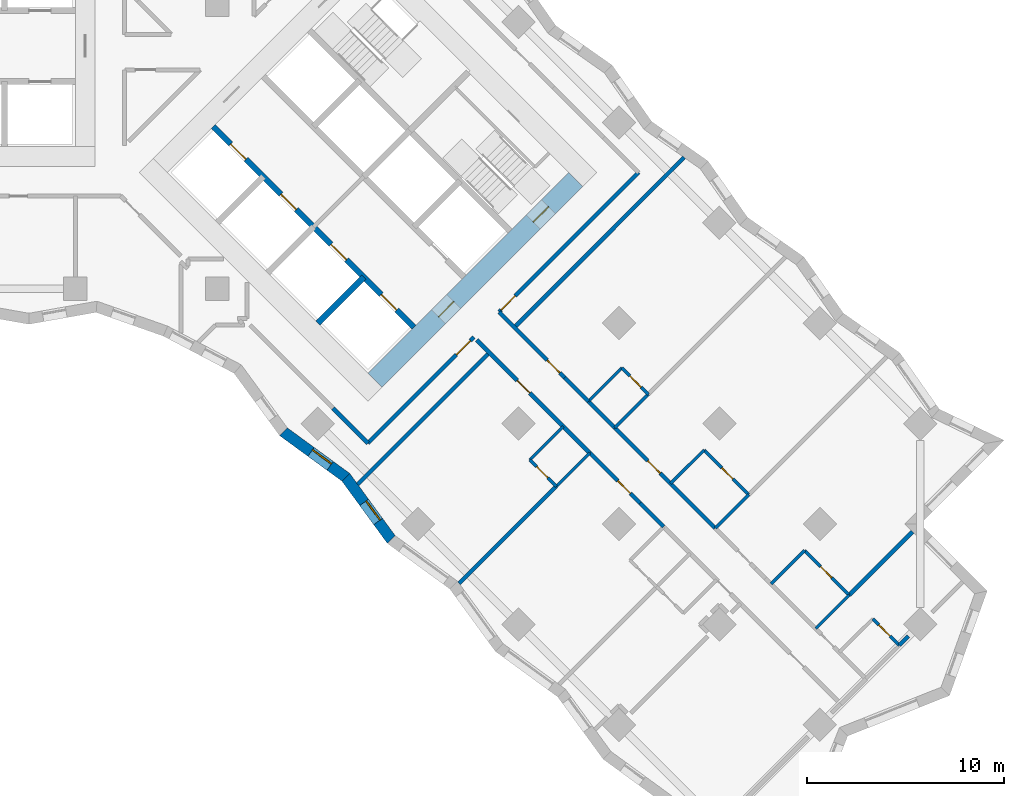
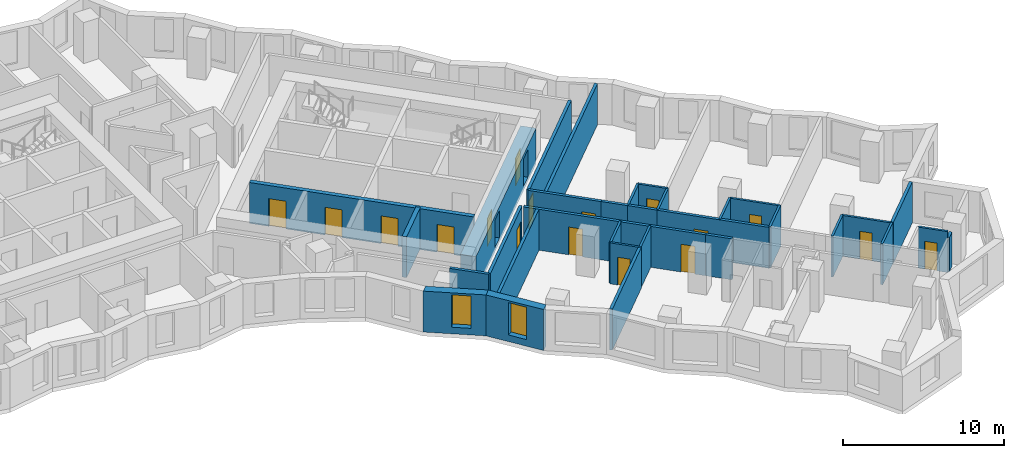
# One storey, part 8 of 12: 33 walls, 17 doors, 2 windows, 19 openings.
"""IFC4 building model written with IfcOpenShell, lengths in metres."""

from ifc_helpers import new_model, si_unit, direction, frame, frame_2d, origin, place, context, subcontext, project, spatial, polyline, rectangle, outline, extrude, material, layer, layer_set, type_object, element, fill, save


model = new_model("IFC4")

# Units and contexts
model_context = context("Model", 3, precision=1e-05, world=origin(), true_north=direction((0.0, 1.0)))
body_context = subcontext(model_context, "Body", "Model", "MODEL_VIEW")
ifc_project = project(units=[si_unit("LENGTHUNIT", "METRE"), si_unit("AREAUNIT", "SQUARE_METRE"), si_unit("VOLUMEUNIT", "CUBIC_METRE"), si_unit("PLANEANGLEUNIT", "RADIAN"), si_unit("MASSUNIT", "GRAM", prefix="KILO")], contexts=[model_context])

# Site, building, storey
site_placement = place(None, origin())
site = spatial("IfcSite", under=ifc_project, at=site_placement, CompositionType="ELEMENT")
building_placement = place(site_placement, origin())
building = spatial("IfcBuilding", under=site, at=building_placement, Name="Windrow Commons", CompositionType="ELEMENT")
storey_placement = place(building_placement, frame((0.0, 0.0, 61.0)))
storey = spatial("IfcBuildingStorey", under=building, at=storey_placement, Name="L16", CompositionType="ELEMENT", Elevation=61.0)

# Wall, opening, window
ifc_material_1 = material(Name="Brick masonry, red clay brick", Category="masonry")
ifc_layer_1 = layer(ifc_material_1, 0.55)
ifc_layer_set_1 = layer_set([ifc_layer_1], Name="Brick facade wall 550")
wall_type_1 = type_object("IfcWallType", Name="Brick facade wall 550", PredefinedType="SOLIDWALL", material=ifc_layer_set_1)
wall_1_placement = place(storey_placement, frame((82.5482, 35.9486, 0.0), z_axis=(0.0, 0.0, 1.0), x_axis=(0.8075900138, -0.5897443257, 0.0)))
wall_1 = element("IfcWall", 1, at=wall_1_placement, inside=storey, type_object=wall_type_1, Name="Brick facade wall L16 56", PredefinedType="SOLIDWALL", context=body_context, shape_type="SweptSolid", body=[
    extrude(outline(polyline([(-0.0429, -0.275), (3.8714, -0.275), (3.9571, 0.275), (0.0429, 0.275), (-0.0429, -0.275)])), origin(), (0.0, 0.0, 1.0), 3.1),
])
opening_1_placement = place(wall_1_placement, frame((1.7329, 0.0, 0.5)))
opening_1 = element("IfcOpeningElement", 2, at=opening_1_placement, cuts=wall_1, Name="Opening W7D", PredefinedType="OPENING", context=body_context, shape_type="SweptSolid", body=[
    extrude(rectangle(XDim=1.2, YDim=2.45, at=frame_2d((0.6, 1.225))), frame((0.0, 0.285, 0.0), z_axis=(0.0, -1.0, 0.0), x_axis=(1.0, 0.0, 0.0)), (0.0, 0.0, 1.0), 0.57),
])
ifc_material_2 = material(Name="Clear float glass in anodised aluminium frame", Category="aluminium")
window_type = type_object("IfcWindowType", Name="Window W7 notch 1200x2450", PartitioningType="SINGLE_PANEL", PredefinedType="WINDOW", material=ifc_material_2)
window_1_placement = place(opening_1_placement, origin())
window_1 = element("IfcWindow", 3, at=window_1_placement, inside=storey, type_object=window_type, Name="Window L16 56.1", OverallHeight=2.45, OverallWidth=1.2, PartitioningType="SINGLE_PANEL", PredefinedType="WINDOW", context=body_context, shape_type="SweptSolid", body=[
    extrude(rectangle(XDim=1.2, YDim=2.45, at=frame_2d((0.6, 1.225))), frame((0.0, 0.155, 0.0), z_axis=(0.0, -1.0, 0.0), x_axis=(1.0, 0.0, 0.0)), (0.0, 0.0, 1.0), 0.06),
])
fill(opening_1, window_1)

wall_2_placement = place(storey_placement, frame((85.7093, 33.6402, 0.0), z_axis=(0.0, 0.0, 1.0), x_axis=(0.5897321582, -0.807598899, 0.0)))
wall_2 = element("IfcWall", 4, at=wall_2_placement, inside=storey, type_object=wall_type_1, Name="Brick facade wall L16 57", PredefinedType="SOLIDWALL", context=body_context, shape_type="SweptSolid", body=[
    extrude(outline(polyline([(0.0429, -0.275), (3.9571, -0.275), (3.8714, 0.275), (-0.0429, 0.275), (0.0429, -0.275)])), origin(), (0.0, 0.0, 1.0), 3.1),
])
opening_2_placement = place(wall_2_placement, frame((1.5761, 0.0, 0.5)))
opening_2 = element("IfcOpeningElement", 5, at=opening_2_placement, cuts=wall_2, Name="Opening W7D", PredefinedType="OPENING", context=body_context, shape_type="SweptSolid", body=[
    extrude(rectangle(XDim=1.2, YDim=2.45, at=frame_2d((0.6, 1.225))), frame((0.0, 0.285, 0.0), z_axis=(0.0, -1.0, 0.0), x_axis=(1.0, 0.0, 0.0)), (0.0, 0.0, 1.0), 0.57),
])
window_2_placement = place(opening_2_placement, origin())
window_2 = element("IfcWindow", 6, at=window_2_placement, inside=storey, type_object=window_type, Name="Window L16 57.1", OverallHeight=2.45, OverallWidth=1.2, PartitioningType="SINGLE_PANEL", PredefinedType="WINDOW", context=body_context, shape_type="SweptSolid", body=[
    extrude(rectangle(XDim=1.2, YDim=2.45, at=frame_2d((0.6, 1.225))), frame((0.0, 0.155, 0.0), z_axis=(0.0, -1.0, 0.0), x_axis=(1.0, 0.0, 0.0)), (0.0, 0.0, 1.0), 0.06),
])
fill(opening_2, window_2)

# Wall, opening, door
ifc_material_3 = material(Name="Blockwork partition", Category="masonry")
ifc_layer_2 = layer(ifc_material_3, 0.2)
ifc_layer_set_2 = layer_set([ifc_layer_2], Name="IW-CORRIDOR-200")
wall_type_2 = type_object("IfcWallType", Name="IW-CORRIDOR-200", PredefinedType="PARTITIONING", material=ifc_layer_set_2)
wall_3_placement = place(storey_placement, frame((93.4836, 42.0204, 0.0), z_axis=(0.0, 0.0, 1.0), x_axis=(0.7071067812, 0.7071067812, 0.0)))
wall_3 = element("IfcWall", 7, at=wall_3_placement, inside=storey, type_object=wall_type_2, Name="W-L16-W010", PredefinedType="PARTITIONING", context=body_context, shape_type="SweptSolid", body=[
    extrude(rectangle(XDim=9.9985, YDim=0.2, at=frame_2d((4.9992, 0.0))), origin(), (0.0, 0.0, 1.0), 3.1),
])
opening_3_placement = place(wall_3_placement, frame((0.1485, 0.0, 0.0)))
opening_3 = element("IfcOpeningElement", 8, at=opening_3_placement, cuts=wall_3, Name="Opening D310F", PredefinedType="OPENING", context=body_context, shape_type="SweptSolid", body=[
    extrude(rectangle(XDim=1.0, YDim=2.1, at=frame_2d((0.5, 1.05))), frame((0.0, 0.11, 0.0), z_axis=(0.0, -1.0, 0.0), x_axis=(1.0, 0.0, 0.0)), (0.0, 0.0, 1.0), 0.22),
])
ifc_material_4 = material(Name="Timber door leaf", Category="wood")
door_type_1 = type_object("IfcDoorType", Name="DT-AMENITY-1000", OperationType="SINGLE_SWING_LEFT", PredefinedType="DOOR", material=ifc_material_4)
door_1_placement = place(opening_3_placement, origin())
door_1 = element("IfcDoor", 9, at=door_1_placement, inside=storey, type_object=door_type_1, Name="D-L16-D039", OperationType="SINGLE_SWING_LEFT", OverallHeight=2.1, OverallWidth=1.0, PredefinedType="DOOR", context=body_context, shape_type="SweptSolid", body=[
    extrude(rectangle(XDim=1.0, YDim=2.1, at=frame_2d((0.5, 1.05))), frame((0.0, 0.025, 0.0), z_axis=(0.0, -1.0, 0.0), x_axis=(1.0, 0.0, 0.0)), (0.0, 0.0, 1.0), 0.05),
])
fill(opening_3, door_1)

wall_4_placement = place(storey_placement, frame((92.3491, 40.6011, 0.0), z_axis=(0.0, 0.0, 1.0), x_axis=(0.7071067812, -0.7071067812, 0.0)))
wall_4 = element("IfcWall", 10, at=wall_4_placement, inside=storey, type_object=wall_type_2, Name="W-L16-W018", PredefinedType="PARTITIONING", context=body_context, shape_type="SweptSolid", body=[
    extrude(rectangle(XDim=8.1006, YDim=0.2, at=frame_2d((4.0503, 0.0))), origin(), (0.0, 0.0, 1.0), 3.1),
])
opening_4_placement = place(wall_4_placement, frame((2.9093, 0.0, 0.0)))
opening_4 = element("IfcOpeningElement", 11, at=opening_4_placement, cuts=wall_4, Name="Opening D109F", PredefinedType="OPENING", context=body_context, shape_type="SweptSolid", body=[
    extrude(rectangle(XDim=0.9, YDim=2.1, at=frame_2d((0.45, 1.05))), frame((0.0, 0.11, 0.0), z_axis=(0.0, -1.0, 0.0), x_axis=(1.0, 0.0, 0.0)), (0.0, 0.0, 1.0), 0.22),
])
ifc_material_5 = material(Name="Timber door leaf", Category="wood")
door_type_2 = type_object("IfcDoorType", Name="DT-BEDROOM-900", OperationType="SINGLE_SWING_LEFT", PredefinedType="DOOR", material=ifc_material_5)
door_2_placement = place(opening_4_placement, origin())
door_2 = element("IfcDoor", 12, at=door_2_placement, inside=storey, type_object=door_type_2, Name="D-L16-D047", OperationType="SINGLE_SWING_LEFT", OverallHeight=2.1, OverallWidth=0.9, PredefinedType="DOOR", context=body_context, shape_type="SweptSolid", body=[
    extrude(rectangle(XDim=0.9, YDim=2.1, at=frame_2d((0.45, 1.05))), frame((0.0, 0.025, 0.0), z_axis=(0.0, -1.0, 0.0), x_axis=(1.0, 0.0, 0.0)), (0.0, 0.0, 1.0), 0.05),
])
fill(opening_4, door_2)

wall_5_placement = place(storey_placement, frame((86.8356, 35.3724, 0.0), z_axis=(0.0, 0.0, 1.0), x_axis=(0.7071067812, 0.7071067812, 0.0)))
wall_5 = element("IfcWall", 13, at=wall_5_placement, inside=storey, type_object=wall_type_2, Name="W-L16-W019", PredefinedType="PARTITIONING", context=body_context, shape_type="SweptSolid", body=[
    extrude(rectangle(XDim=7.6, YDim=0.2, at=frame_2d((3.8, 0.0))), origin(), (0.0, 0.0, 1.0), 3.1),
])
opening_5_placement = place(wall_5_placement, frame((6.3422, 0.0, 0.0)))
opening_5 = element("IfcOpeningElement", 14, at=opening_5_placement, cuts=wall_5, Name="Opening D310F", PredefinedType="OPENING", context=body_context, shape_type="SweptSolid", body=[
    extrude(rectangle(XDim=1.0, YDim=2.1, at=frame_2d((0.5, 1.05))), frame((0.0, 0.11, 0.0), z_axis=(0.0, -1.0, 0.0), x_axis=(1.0, 0.0, 0.0)), (0.0, 0.0, 1.0), 0.22),
])
door_3_placement = place(opening_5_placement, origin())
door_3 = element("IfcDoor", 15, at=door_3_placement, inside=storey, type_object=door_type_1, Name="D-L16-D046", OperationType="SINGLE_SWING_RIGHT", OverallHeight=2.1, OverallWidth=1.0, PredefinedType="DOOR", context=body_context, shape_type="SweptSolid", body=[
    extrude(rectangle(XDim=1.0, YDim=2.1, at=frame_2d((0.5, 1.05))), frame((0.0, 0.025, 0.0), z_axis=(0.0, -1.0, 0.0), x_axis=(1.0, 0.0, 0.0)), (0.0, 0.0, 1.0), 0.05),
])
fill(opening_5, door_3)

wall_6_placement = place(storey_placement, frame((99.3489, 36.1469, 0.0), z_axis=(0.0, 0.0, 1.0), x_axis=(0.7071067812, -0.7071067812, 0.0)))
wall_6 = element("IfcWall", 16, at=wall_6_placement, inside=storey, type_object=wall_type_2, Name="W-L16-W020", PredefinedType="PARTITIONING", context=body_context, shape_type="SweptSolid", body=[
    extrude(rectangle(XDim=7.2012, YDim=0.2, at=frame_2d((3.6006, 0.0))), origin(), (0.0, 0.0, 1.0), 3.1),
])
opening_6_placement = place(wall_6_placement, frame((2.3576, 0.0, 0.0)))
opening_6 = element("IfcOpeningElement", 17, at=opening_6_placement, cuts=wall_6, Name="Opening D109F", PredefinedType="OPENING", context=body_context, shape_type="SweptSolid", body=[
    extrude(rectangle(XDim=0.9, YDim=2.1, at=frame_2d((0.45, 1.05))), frame((0.0, 0.11, 0.0), z_axis=(0.0, -1.0, 0.0), x_axis=(1.0, 0.0, 0.0)), (0.0, 0.0, 1.0), 0.22),
])
door_4_placement = place(opening_6_placement, origin())
door_4 = element("IfcDoor", 18, at=door_4_placement, inside=storey, type_object=door_type_2, Name="D-L16-D042", OperationType="SINGLE_SWING_RIGHT", OverallHeight=2.1, OverallWidth=0.9, PredefinedType="DOOR", context=body_context, shape_type="SweptSolid", body=[
    extrude(rectangle(XDim=0.9, YDim=2.1, at=frame_2d((0.45, 1.05))), frame((0.0, 0.025, 0.0), z_axis=(0.0, -1.0, 0.0), x_axis=(1.0, 0.0, 0.0)), (0.0, 0.0, 1.0), 0.05),
])
fill(opening_6, door_4)

wall_7_placement = place(storey_placement, frame((93.4809, 42.0149, 0.0), z_axis=(0.0, 0.0, 1.0), x_axis=(0.7071067812, -0.7071067812, 0.0)))
wall_7 = element("IfcWall", 19, at=wall_7_placement, inside=storey, type_object=wall_type_2, Name="W-L16-W040", PredefinedType="PARTITIONING", context=body_context, shape_type="SweptSolid", body=[
    extrude(rectangle(XDim=4.698, YDim=0.2, at=frame_2d((2.349, 0.0))), origin(), (0.0, 0.0, 1.0), 3.1),
])
opening_7_placement = place(wall_7_placement, frame((3.4523, 0.0, 0.0)))
opening_7 = element("IfcOpeningElement", 20, at=opening_7_placement, cuts=wall_7, Name="Opening D109F", PredefinedType="OPENING", context=body_context, shape_type="SweptSolid", body=[
    extrude(rectangle(XDim=0.9, YDim=2.1, at=frame_2d((0.45, 1.05))), frame((0.0, 0.11, 0.0), z_axis=(0.0, -1.0, 0.0), x_axis=(1.0, 0.0, 0.0)), (0.0, 0.0, 1.0), 0.22),
])
door_5_placement = place(opening_7_placement, origin())
door_5 = element("IfcDoor", 21, at=door_5_placement, inside=storey, type_object=door_type_2, Name="D-L16-D040", OperationType="SINGLE_SWING_RIGHT", OverallHeight=2.1, OverallWidth=0.9, PredefinedType="DOOR", context=body_context, shape_type="SweptSolid", body=[
    extrude(rectangle(XDim=0.9, YDim=2.1, at=frame_2d((0.45, 1.05))), frame((0.0, 0.025, 0.0), z_axis=(0.0, -1.0, 0.0), x_axis=(1.0, 0.0, 0.0)), (0.0, 0.0, 1.0), 0.05),
])
fill(opening_7, door_5)

wall_8_placement = place(storey_placement, frame((98.0825, 34.8785, 0.0), z_axis=(0.0, 0.0, 1.0), x_axis=(0.7073845681, -0.7068288851, 0.0)))
wall_8 = element("IfcWall", 22, at=wall_8_placement, inside=storey, type_object=wall_type_2, Name="W-L16-W055", PredefinedType="PARTITIONING", context=body_context, shape_type="SweptSolid", body=[
    extrude(rectangle(XDim=3.5992, YDim=0.2, at=frame_2d((1.7996, 0.0))), origin(), (0.0, 0.0, 1.0), 3.1),
])
opening_8_placement = place(wall_8_placement, frame((2.0087, 0.0, 0.0)))
opening_8 = element("IfcOpeningElement", 23, at=opening_8_placement, cuts=wall_8, Name="Opening D109F", PredefinedType="OPENING", context=body_context, shape_type="SweptSolid", body=[
    extrude(rectangle(XDim=0.9, YDim=2.1, at=frame_2d((0.45, 1.05))), frame((0.0, 0.11, 0.0), z_axis=(0.0, -1.0, 0.0), x_axis=(1.0, 0.0, 0.0)), (0.0, 0.0, 1.0), 0.22),
])
door_6_placement = place(opening_8_placement, origin())
door_6 = element("IfcDoor", 24, at=door_6_placement, inside=storey, type_object=door_type_2, Name="D-L16-D049", OperationType="SINGLE_SWING_LEFT", OverallHeight=2.1, OverallWidth=0.9, PredefinedType="DOOR", context=body_context, shape_type="SweptSolid", body=[
    extrude(rectangle(XDim=0.9, YDim=2.1, at=frame_2d((0.45, 1.05))), frame((0.0, 0.025, 0.0), z_axis=(0.0, -1.0, 0.0), x_axis=(1.0, 0.0, 0.0)), (0.0, 0.0, 1.0), 0.05),
])
fill(opening_8, door_6)

# Walls
wall_9_placement = place(storey_placement, frame((85.0651, 37.1371, 0.0), z_axis=(0.0, 0.0, 1.0), x_axis=(0.7071067812, -0.7071067812, 0.0)))
element("IfcWall", 25, at=wall_9_placement, inside=storey, type_object=wall_type_2, Name="W-L16-W069", PredefinedType="PARTITIONING", context=body_context, shape_type="SweptSolid", body=[
    extrude(rectangle(XDim=2.5003, YDim=0.2, at=frame_2d((1.2502, 0.0))), origin(), (0.0, 0.0, 1.0), 3.1),
])
wall_10_placement = place(storey_placement, frame((98.0117, 37.4957, 0.0), z_axis=(0.0, 0.0, 1.0), x_axis=(0.7065800724, -0.7076330979, 0.0)))
element("IfcWall", 26, at=wall_10_placement, inside=storey, type_object=wall_type_2, Name="W-L16-W125", PredefinedType="PARTITIONING", context=body_context, shape_type="SweptSolid", body=[
    extrude(rectangle(XDim=1.8993, YDim=0.2, at=frame_2d((0.9496, 0.0))), origin(), (0.0, 0.0, 1.0), 3.1),
])
wall_11_placement = place(storey_placement, frame((96.8059, 38.6959, 0.0), z_axis=(0.0, 0.0, 1.0), x_axis=(0.7076943229, -0.7065187509, 0.0)))
element("IfcWall", 27, at=wall_11_placement, inside=storey, type_object=wall_type_2, Name="W-L16-W135", PredefinedType="PARTITIONING", context=body_context, shape_type="SweptSolid", body=[
    extrude(rectangle(XDim=1.7013, YDim=0.2, at=frame_2d((0.8507, 0.0))), origin(), (0.0, 0.0, 1.0), 3.1),
])
wall_12_placement = place(storey_placement, frame((100.6292, 32.3352, 0.0), z_axis=(0.0, 0.0, 1.0), x_axis=(0.7071067812, -0.7071067812, 0.0)))
element("IfcWall", 28, at=wall_12_placement, inside=storey, type_object=wall_type_2, Name="W-L16-W140", PredefinedType="PARTITIONING", context=body_context, shape_type="SweptSolid", body=[
    extrude(rectangle(XDim=1.6999, YDim=0.2, at=frame_2d((0.8499, 0.0))), origin(), (0.0, 0.0, 1.0), 3.1),
])

# Wall, opening, door
ifc_material_6 = material(Name="Blockwork partition", Category="masonry")
ifc_layer_3 = layer(ifc_material_6, 0.15)
ifc_layer_set_3 = layer_set([ifc_layer_3], Name="IW-ENSUITE-150")
wall_type_3 = type_object("IfcWallType", Name="IW-ENSUITE-150", PredefinedType="PARTITIONING", material=ifc_layer_set_3)
wall_13_placement = place(storey_placement, frame((108.9697, 29.9277, 0.0), z_axis=(0.0, 0.0, 1.0), x_axis=(0.7067942478, -0.7074191764, 0.0)))
wall_13 = element("IfcWall", 29, at=wall_13_placement, inside=storey, type_object=wall_type_3, Name="W-L16-W058", PredefinedType="PARTITIONING", context=body_context, shape_type="SweptSolid", body=[
    extrude(rectangle(XDim=3.2004, YDim=0.15, at=frame_2d((1.6002, 0.0))), origin(), (0.0, 0.0, 1.0), 3.1),
])
opening_9_placement = place(wall_13_placement, frame((1.148, 0.0, 0.0)))
opening_9 = element("IfcOpeningElement", 30, at=opening_9_placement, cuts=wall_13, Name="Opening D208N", PredefinedType="OPENING", context=body_context, shape_type="SweptSolid", body=[
    extrude(rectangle(XDim=0.8, YDim=2.1, at=frame_2d((0.4, 1.05))), frame((0.0, 0.085, 0.0), z_axis=(0.0, -1.0, 0.0), x_axis=(1.0, 0.0, 0.0)), (0.0, 0.0, 1.0), 0.17),
])
ifc_material_7 = material(Name="Timber door leaf", Category="wood")
door_type_3 = type_object("IfcDoorType", Name="DT-ENSUITE-800", OperationType="SINGLE_SWING_LEFT", PredefinedType="DOOR", material=ifc_material_7)
door_7_placement = place(opening_9_placement, origin())
door_7 = element("IfcDoor", 31, at=door_7_placement, inside=storey, type_object=door_type_3, Name="D-L16-D045", OperationType="SINGLE_SWING_RIGHT", OverallHeight=2.1, OverallWidth=0.8, PredefinedType="DOOR", context=body_context, shape_type="SweptSolid", body=[
    extrude(rectangle(XDim=0.8, YDim=2.1, at=frame_2d((0.4, 1.05))), frame((0.0, 0.025, 0.0), z_axis=(0.0, -1.0, 0.0), x_axis=(1.0, 0.0, 0.0)), (0.0, 0.0, 1.0), 0.05),
])
fill(opening_9, door_7)

wall_14_placement = place(storey_placement, frame((103.875, 35.015, 0.0), z_axis=(0.0, 0.0, 1.0), x_axis=(0.7071067812, -0.7071067812, 0.0)))
wall_14 = element("IfcWall", 32, at=wall_14_placement, inside=storey, type_object=wall_type_3, Name="W-L16-W063", PredefinedType="PARTITIONING", context=body_context, shape_type="SweptSolid", body=[
    extrude(rectangle(XDim=3.199, YDim=0.15, at=frame_2d((1.5995, 0.0))), origin(), (0.0, 0.0, 1.0), 3.1),
])
opening_10_placement = place(wall_14_placement, frame((1.2701, 0.0, 0.0)))
opening_10 = element("IfcOpeningElement", 33, at=opening_10_placement, cuts=wall_14, Name="Opening D208N", PredefinedType="OPENING", context=body_context, shape_type="SweptSolid", body=[
    extrude(rectangle(XDim=0.8, YDim=2.1, at=frame_2d((0.4, 1.05))), frame((0.0, 0.085, 0.0), z_axis=(0.0, -1.0, 0.0), x_axis=(1.0, 0.0, 0.0)), (0.0, 0.0, 1.0), 0.17),
])
door_8_placement = place(opening_10_placement, origin())
door_8 = element("IfcDoor", 34, at=door_8_placement, inside=storey, type_object=door_type_3, Name="D-L16-D043", OperationType="SINGLE_SWING_RIGHT", OverallHeight=2.1, OverallWidth=0.8, PredefinedType="DOOR", context=body_context, shape_type="SweptSolid", body=[
    extrude(rectangle(XDim=0.8, YDim=2.1, at=frame_2d((0.4, 1.05))), frame((0.0, 0.025, 0.0), z_axis=(0.0, -1.0, 0.0), x_axis=(1.0, 0.0, 0.0)), (0.0, 0.0, 1.0), 0.05),
])
fill(opening_10, door_8)

# Walls
wall_15_placement = place(storey_placement, frame((107.2712, 28.2308, 0.0), z_axis=(0.0, 0.0, 1.0), x_axis=(0.7071067812, 0.7071067812, 0.0)))
element("IfcWall", 35, at=wall_15_placement, inside=storey, type_object=wall_type_3, Name="W-L16-W072", PredefinedType="PARTITIONING", context=body_context, shape_type="SweptSolid", body=[
    extrude(rectangle(XDim=2.4013, YDim=0.15, at=frame_2d((1.2006, 0.0))), origin(), (0.0, 0.0, 1.0), 3.1),
])
for number, where, z_axis, x_axis, name in (
    (36, (96.3844, 33.1776, 0.0), (0.0, 0.0, 1.0), (0.7075233388, 0.706689978, 0.0), "W-L16-W098"),
    (37, (99.3491, 36.1529, 0.0), (0.0, 0.0, 1.0), (0.7075233388, 0.706689978, 0.0), "W-L16-W099"),
    (38, (104.4453, 31.0567, 0.0), (0.0, 0.0, 1.0), (0.706689978, 0.7075233388, 0.0), "W-L16-W100"),
    (39, (102.1775, 33.3245, 0.0), (0.0, 0.0, 1.0), (0.7075233388, 0.706689978, 0.0), "W-L16-W103"),
    (40, (109.5314, 25.9706, 0.0), (0.0, 0.0, 1.0), (0.7075233388, 0.706689978, 0.0), "W-L16-W104"),
):
    element("IfcWall", number, at=place(storey_placement, frame(where, z_axis=z_axis, x_axis=x_axis)), inside=storey, type_object=wall_type_3, Name=name, PredefinedType="PARTITIONING", context=body_context, shape_type="SweptSolid", body=[
        extrude(rectangle(XDim=2.3999, YDim=0.15, at=frame_2d((1.2, 0.0))), origin(), (0.0, 0.0, 1.0), 3.1),
    ])
for number, where, z_axis, x_axis, name in (
    (41, (95.0391, 34.5249, 0.0), (0.0, 0.0, 1.0), (0.7071067812, 0.7071067812, 0.0), "W-L16-W106"),
    (42, (98.0091, 37.4949, 0.0), (0.0, 0.0, 1.0), (0.7071067812, 0.7071067812, 0.0), "W-L16-W108"),
):
    element("IfcWall", number, at=place(storey_placement, frame(where, z_axis=z_axis, x_axis=x_axis)), inside=storey, type_object=wall_type_3, Name=name, PredefinedType="PARTITIONING", context=body_context, shape_type="SweptSolid", body=[
        extrude(rectangle(XDim=2.3985, YDim=0.15, at=frame_2d((1.1992, 0.0))), origin(), (0.0, 0.0, 1.0), 3.1),
    ])

# Wall, opening, door
wall_16_placement = place(storey_placement, frame((99.703, 39.187, 0.0), z_axis=(0.0, 0.0, 1.0), x_axis=(0.7071067812, -0.7071067812, 0.0)))
wall_16 = element("IfcWall", 43, at=wall_16_placement, inside=storey, type_object=wall_type_3, Name="W-L16-W115", PredefinedType="PARTITIONING", context=body_context, shape_type="SweptSolid", body=[
    extrude(rectangle(XDim=1.9007, YDim=0.15, at=frame_2d((0.9504, 0.0))), origin(), (0.0, 0.0, 1.0), 3.1),
])
opening_11_placement = place(wall_16_placement, frame((0.5838, 0.0, 0.0)))
opening_11 = element("IfcOpeningElement", 44, at=opening_11_placement, cuts=wall_16, Name="Opening D208N", PredefinedType="OPENING", context=body_context, shape_type="SweptSolid", body=[
    extrude(rectangle(XDim=0.8, YDim=2.1, at=frame_2d((0.4, 1.05))), frame((0.0, 0.085, 0.0), z_axis=(0.0, -1.0, 0.0), x_axis=(1.0, 0.0, 0.0)), (0.0, 0.0, 1.0), 0.17),
])
door_9_placement = place(opening_11_placement, origin())
door_9 = element("IfcDoor", 45, at=door_9_placement, inside=storey, type_object=door_type_3, Name="D-L16-D041", OperationType="SINGLE_SWING_RIGHT", OverallHeight=2.1, OverallWidth=0.8, PredefinedType="DOOR", context=body_context, shape_type="SweptSolid", body=[
    extrude(rectangle(XDim=0.8, YDim=2.1, at=frame_2d((0.4, 1.05))), frame((0.0, 0.025, 0.0), z_axis=(0.0, -1.0, 0.0), x_axis=(1.0, 0.0, 0.0)), (0.0, 0.0, 1.0), 0.05),
])
fill(opening_11, door_9)

wall_17_placement = place(storey_placement, frame((112.431, 26.459, 0.0), z_axis=(0.0, 0.0, 1.0), x_axis=(0.7071067812, -0.7071067812, 0.0)))
wall_17 = element("IfcWall", 46, at=wall_17_placement, inside=storey, type_object=wall_type_3, Name="W-L16-W116", PredefinedType="PARTITIONING", context=body_context, shape_type="SweptSolid", body=[
    extrude(rectangle(XDim=1.9007, YDim=0.15, at=frame_2d((0.9504, 0.0))), origin(), (0.0, 0.0, 1.0), 3.1),
])
opening_12_placement = place(wall_17_placement, frame((0.431, 0.0, 0.0)))
opening_12 = element("IfcOpeningElement", 47, at=opening_12_placement, cuts=wall_17, Name="Opening D208N", PredefinedType="OPENING", context=body_context, shape_type="SweptSolid", body=[
    extrude(rectangle(XDim=0.8, YDim=2.1, at=frame_2d((0.4, 1.05))), frame((0.0, 0.085, 0.0), z_axis=(0.0, -1.0, 0.0), x_axis=(1.0, 0.0, 0.0)), (0.0, 0.0, 1.0), 0.17),
])
door_10_placement = place(opening_12_placement, origin())
door_10 = element("IfcDoor", 48, at=door_10_placement, inside=storey, type_object=door_type_3, Name="D-L16-D055", OperationType="SINGLE_SWING_RIGHT", OverallHeight=2.1, OverallWidth=0.8, PredefinedType="DOOR", context=body_context, shape_type="SweptSolid", body=[
    extrude(rectangle(XDim=0.8, YDim=2.1, at=frame_2d((0.4, 1.05))), frame((0.0, 0.025, 0.0), z_axis=(0.0, -1.0, 0.0), x_axis=(1.0, 0.0, 0.0)), (0.0, 0.0, 1.0), 0.05),
])
fill(opening_12, door_10)

wall_18_placement = place(storey_placement, frame((95.0418, 34.5258, 0.0), z_axis=(0.0, 0.0, 1.0), x_axis=(0.7065800724, -0.7076330979, 0.0)))
wall_18 = element("IfcWall", 49, at=wall_18_placement, inside=storey, type_object=wall_type_3, Name="W-L16-W126", PredefinedType="PARTITIONING", context=body_context, shape_type="SweptSolid", body=[
    extrude(rectangle(XDim=1.8993, YDim=0.15, at=frame_2d((0.9496, 0.0))), origin(), (0.0, 0.0, 1.0), 3.1),
])
opening_13_placement = place(wall_18_placement, frame((0.4911, 0.0, 0.0)))
opening_13 = element("IfcOpeningElement", 50, at=opening_13_placement, cuts=wall_18, Name="Opening D208N", PredefinedType="OPENING", context=body_context, shape_type="SweptSolid", body=[
    extrude(rectangle(XDim=0.8, YDim=2.1, at=frame_2d((0.4, 1.05))), frame((0.0, 0.085, 0.0), z_axis=(0.0, -1.0, 0.0), x_axis=(1.0, 0.0, 0.0)), (0.0, 0.0, 1.0), 0.17),
])
door_11_placement = place(opening_13_placement, origin())
door_11 = element("IfcDoor", 51, at=door_11_placement, inside=storey, type_object=door_type_3, Name="D-L16-D048", OperationType="SINGLE_SWING_RIGHT", OverallHeight=2.1, OverallWidth=0.8, PredefinedType="DOOR", context=body_context, shape_type="SweptSolid", body=[
    extrude(rectangle(XDim=0.8, YDim=2.1, at=frame_2d((0.4, 1.05))), frame((0.0, 0.025, 0.0), z_axis=(0.0, -1.0, 0.0), x_axis=(1.0, 0.0, 0.0)), (0.0, 0.0, 1.0), 0.05),
])
fill(opening_13, door_11)

# Walls
ifc_material_8 = material(Name="Blockwork partition", Category="masonry")
ifc_layer_4 = layer(ifc_material_8, 0.2)
ifc_layer_set_4 = layer_set([ifc_layer_4], Name="IW-PARTY-200")
wall_type_4 = type_object("IfcWallType", Name="IW-PARTY-200", PredefinedType="PARTITIONING", material=ifc_layer_set_4)
wall_19_placement = place(storey_placement, frame((94.2593, 41.2427, 0.0), z_axis=(0.0, 0.0, 1.0), x_axis=(0.7070205168, 0.707193035, 0.0)))
element("IfcWall", 52, at=wall_19_placement, inside=storey, type_object=wall_type_4, Name="W-L16-W006", PredefinedType="PARTITIONING", context=body_context, shape_type="SweptSolid", body=[
    extrude(rectangle(XDim=12.1726, YDim=0.2, at=frame_2d((6.0863, 0.0))), origin(), (0.0, 0.0, 1.0), 3.1),
])
wall_20_placement = place(storey_placement, frame((86.3112, 33.2823, 0.0), z_axis=(0.0, 0.0, 1.0), x_axis=(0.7069956462, 0.7072178987, 0.0)))
element("IfcWall", 53, at=wall_20_placement, inside=storey, type_object=wall_type_4, Name="W-L16-W015", PredefinedType="PARTITIONING", context=body_context, shape_type="SweptSolid", body=[
    extrude(rectangle(XDim=9.4487, YDim=0.2, at=frame_2d((4.7244, 0.0))), origin(), (0.0, 0.0, 1.0), 3.1),
])
wall_21_placement = place(storey_placement, frame((91.4571, 28.2559, 0.0), z_axis=(0.0, 0.0, 1.0), x_axis=(0.7071067812, 0.7071067812, 0.0)))
element("IfcWall", 54, at=wall_21_placement, inside=storey, type_object=wall_type_4, Name="W-L16-W026", PredefinedType="PARTITIONING", context=body_context, shape_type="SweptSolid", body=[
    extrude(rectangle(XDim=6.9643, YDim=0.2, at=frame_2d((3.4821, 0.0))), origin(), (0.0, 0.0, 1.0), 3.1),
])
wall_22_placement = place(storey_placement, frame((111.2309, 27.6651, 0.0), z_axis=(0.0, 0.0, 1.0), x_axis=(0.7071067812, 0.7071067812, 0.0)))
element("IfcWall", 55, at=wall_22_placement, inside=storey, type_object=wall_type_4, Name="W-L16-W044", PredefinedType="PARTITIONING", context=body_context, shape_type="SweptSolid", body=[
    extrude(rectangle(XDim=4.5502, YDim=0.2, at=frame_2d((2.2751, 0.0))), origin(), (0.0, 0.0, 1.0), 3.1),
])
wall_23_placement = place(storey_placement, frame((113.7745, 25.1215, 0.0), z_axis=(0.0, 0.0, 1.0), x_axis=(0.705571267, 0.7086389682, 0.0)))
element("IfcWall", 56, at=wall_23_placement, inside=storey, type_object=wall_type_4, Name="W-L16-W153", PredefinedType="PARTITIONING", context=body_context, shape_type="SweptSolid", body=[
    extrude(rectangle(XDim=0.652, YDim=0.2, at=frame_2d((0.326, 0.0))), origin(), (0.0, 0.0, 1.0), 2.6),
])

# Wall, openings, doors
ifc_material_9 = material(Name="Concrete C60/75", Category="concrete")
ifc_layer_5 = layer(ifc_material_9, 1.0)
ifc_layer_set_5 = layer_set([ifc_layer_5], Name="RC CORE WALL 1000 C60/75")
wall_type_5 = type_object("IfcWallType", Name="RC CORE WALL 1000 C60/75", PredefinedType="SHEAR", material=ifc_layer_set_5)
wall_24_placement = place(storey_placement, frame((87.1903, 38.5538, -0.3), z_axis=(0.0, 0.0, 1.0), x_axis=(0.707103309, 0.7071102534, 0.0)))
wall_24 = element("IfcWall", 57, at=wall_24_placement, inside=storey, type_object=wall_type_5, Name="Core B wall outer-E", PredefinedType="SHEAR", context=body_context, shape_type="SweptSolid", body=[
    extrude(rectangle(XDim=14.4, YDim=1.0, at=frame_2d((7.2, 0.0))), origin(), (0.0, 0.0, 1.0), 2.7),
])
opening_14_placement = place(wall_24_placement, frame((4.55, 0.0, 0.3)))
opening_14 = element("IfcOpeningElement", 58, at=opening_14_placement, cuts=wall_24, Name="Opening D6", PredefinedType="OPENING", context=body_context, shape_type="SweptSolid", body=[
    extrude(rectangle(XDim=1.1, YDim=2.1, at=frame_2d((0.55, 1.05))), frame((0.0, 0.51, 0.0), z_axis=(0.0, -1.0, 0.0), x_axis=(1.0, 0.0, 0.0)), (0.0, 0.0, 1.0), 1.02),
])
opening_15_placement = place(wall_24_placement, frame((11.35, 0.0, 0.3)))
opening_15 = element("IfcOpeningElement", 59, at=opening_15_placement, cuts=wall_24, Name="Opening D7", PredefinedType="OPENING", context=body_context, shape_type="SweptSolid", body=[
    extrude(rectangle(XDim=1.1, YDim=2.1, at=frame_2d((0.55, 1.05))), frame((0.0, 0.51, 0.0), z_axis=(0.0, -1.0, 0.0), x_axis=(1.0, 0.0, 0.0)), (0.0, 0.0, 1.0), 1.02),
])
ifc_material_10 = material(Name="Steel fire door leaf", Category="steel")
door_type_4 = type_object("IfcDoorType", Name="Core lobby door 1100", OperationType="SINGLE_SWING_LEFT", PredefinedType="DOOR", material=ifc_material_10)
door_12_placement = place(opening_14_placement, origin())
door_12 = element("IfcDoor", 60, at=door_12_placement, inside=storey, type_object=door_type_4, Name="Lift lobby door", OperationType="DOUBLE_DOOR_SINGLE_SWING", OverallHeight=2.1, OverallWidth=1.1, PredefinedType="DOOR", context=body_context, shape_type="SweptSolid", body=[
    extrude(rectangle(XDim=1.1, YDim=2.1, at=frame_2d((0.55, 1.05))), frame((0.0, 0.025, 0.0), z_axis=(0.0, -1.0, 0.0), x_axis=(1.0, 0.0, 0.0)), (0.0, 0.0, 1.0), 0.05),
])
fill(opening_14, door_12)
ifc_material_11 = material(Name="Steel fire door leaf", Category="steel")
door_type_5 = type_object("IfcDoorType", Name="Stair door 1100", OperationType="SINGLE_SWING_LEFT", PredefinedType="DOOR", material=ifc_material_11)
door_13_placement = place(opening_15_placement, origin())
door_13 = element("IfcDoor", 61, at=door_13_placement, inside=storey, type_object=door_type_5, Name="Stair door", OperationType="SINGLE_SWING_RIGHT", OverallHeight=2.1, OverallWidth=1.1, PredefinedType="DOOR", context=body_context, shape_type="SweptSolid", body=[
    extrude(rectangle(XDim=1.1, YDim=2.1, at=frame_2d((0.55, 1.05))), frame((0.0, 0.025, 0.0), z_axis=(0.0, -1.0, 0.0), x_axis=(1.0, 0.0, 0.0)), (0.0, 0.0, 1.0), 0.05),
])
fill(opening_15, door_13)

# Wall
ifc_material_12 = material(Name="Concrete C60/75", Category="concrete")
ifc_layer_6 = layer(ifc_material_12, 0.3)
ifc_layer_set_6 = layer_set([ifc_layer_6], Name="RC SHAFT WALL 300 C60/75")
wall_type_6 = type_object("IfcWallType", Name="RC SHAFT WALL 300 C60/75", PredefinedType="SOLIDWALL", material=ifc_layer_set_6)
wall_25_placement = place(storey_placement, frame((84.2912, 41.453, 0.0), z_axis=(0.0, 0.0, 1.0), x_axis=(0.7071067812, 0.7071067812, 0.0)))
element("IfcWall", 62, at=wall_25_placement, inside=storey, type_object=wall_type_6, Name="Core B wall shaft-S3", PredefinedType="SOLIDWALL", context=body_context, shape_type="SweptSolid", body=[
    extrude(rectangle(XDim=3.2999, YDim=0.3, at=frame_2d((1.65, 0.0))), origin(), (0.0, 0.0, 1.0), 3.1),
])

# Wall, openings, doors
wall_26_placement = place(storey_placement, frame((78.9879, 51.4232, 0.0), z_axis=(0.0, 0.0, 1.0), x_axis=(0.7071067812, -0.7071067812, 0.0)))
wall_26 = element("IfcWall", 63, at=wall_26_placement, inside=storey, type_object=wall_type_6, Name="Core B wall lobby-S", PredefinedType="SOLIDWALL", context=body_context, shape_type="SweptSolid", body=[
    extrude(rectangle(XDim=14.3999, YDim=0.3, at=frame_2d((7.2, 0.0))), origin(), (0.0, 0.0, 1.0), 3.1),
])
opening_16_placement = place(wall_26_placement, frame((1.25, 0.0, 0.0)))
opening_16 = element("IfcOpeningElement", 64, at=opening_16_placement, cuts=wall_26, Name="Opening LD", PredefinedType="OPENING", context=body_context, shape_type="SweptSolid", body=[
    extrude(rectangle(XDim=1.1, YDim=2.1, at=frame_2d((0.55, 1.05))), frame((0.0, 0.16, 0.0), z_axis=(0.0, -1.0, 0.0), x_axis=(1.0, 0.0, 0.0)), (0.0, 0.0, 1.0), 0.32),
])
opening_17_placement = place(wall_26_placement, frame((4.85, 0.0, 0.0)))
opening_17 = element("IfcOpeningElement", 65, at=opening_17_placement, cuts=wall_26, Name="Opening LD", PredefinedType="OPENING", context=body_context, shape_type="SweptSolid", body=[
    extrude(rectangle(XDim=1.1, YDim=2.1, at=frame_2d((0.55, 1.05))), frame((0.0, 0.16, 0.0), z_axis=(0.0, -1.0, 0.0), x_axis=(1.0, 0.0, 0.0)), (0.0, 0.0, 1.0), 0.32),
])
opening_18_placement = place(wall_26_placement, frame((8.45, 0.0, 0.0)))
opening_18 = element("IfcOpeningElement", 66, at=opening_18_placement, cuts=wall_26, Name="Opening LD", PredefinedType="OPENING", context=body_context, shape_type="SweptSolid", body=[
    extrude(rectangle(XDim=1.1, YDim=2.1, at=frame_2d((0.55, 1.05))), frame((0.0, 0.16, 0.0), z_axis=(0.0, -1.0, 0.0), x_axis=(1.0, 0.0, 0.0)), (0.0, 0.0, 1.0), 0.32),
])
opening_19_placement = place(wall_26_placement, frame((12.05, 0.0, 0.0)))
opening_19 = element("IfcOpeningElement", 67, at=opening_19_placement, cuts=wall_26, Name="Opening LD", PredefinedType="OPENING", context=body_context, shape_type="SweptSolid", body=[
    extrude(rectangle(XDim=1.1, YDim=2.1, at=frame_2d((0.55, 1.05))), frame((0.0, 0.16, 0.0), z_axis=(0.0, -1.0, 0.0), x_axis=(1.0, 0.0, 0.0)), (0.0, 0.0, 1.0), 0.32),
])
ifc_material_13 = material(Name="Stainless steel door leaf", Category="steel")
door_type_6 = type_object("IfcDoorType", Name="Lift landing door 1100", OperationType="SLIDING_TO_LEFT", PredefinedType="DOOR", material=ifc_material_13)
door_14_placement = place(opening_16_placement, origin())
door_14 = element("IfcDoor", 68, at=door_14_placement, inside=storey, type_object=door_type_6, Name="Lift landing door", OperationType="SLIDING_TO_LEFT", OverallHeight=2.1, OverallWidth=1.1, PredefinedType="DOOR", context=body_context, shape_type="SweptSolid", body=[
    extrude(rectangle(XDim=1.1, YDim=2.1, at=frame_2d((0.55, 1.05))), frame((0.0, 0.025, 0.0), z_axis=(0.0, -1.0, 0.0), x_axis=(1.0, 0.0, 0.0)), (0.0, 0.0, 1.0), 0.05),
])
fill(opening_16, door_14)
door_15_placement = place(opening_17_placement, origin())
door_15 = element("IfcDoor", 69, at=door_15_placement, inside=storey, type_object=door_type_6, Name="Lift landing door", OperationType="SLIDING_TO_RIGHT", OverallHeight=2.1, OverallWidth=1.1, PredefinedType="DOOR", context=body_context, shape_type="SweptSolid", body=[
    extrude(rectangle(XDim=1.1, YDim=2.1, at=frame_2d((0.55, 1.05))), frame((0.0, 0.025, 0.0), z_axis=(0.0, -1.0, 0.0), x_axis=(1.0, 0.0, 0.0)), (0.0, 0.0, 1.0), 0.05),
])
fill(opening_17, door_15)
door_16_placement = place(opening_18_placement, origin())
door_16 = element("IfcDoor", 70, at=door_16_placement, inside=storey, type_object=door_type_6, Name="Lift landing door", OperationType="SLIDING_TO_LEFT", OverallHeight=2.1, OverallWidth=1.1, PredefinedType="DOOR", context=body_context, shape_type="SweptSolid", body=[
    extrude(rectangle(XDim=1.1, YDim=2.1, at=frame_2d((0.55, 1.05))), frame((0.0, 0.025, 0.0), z_axis=(0.0, -1.0, 0.0), x_axis=(1.0, 0.0, 0.0)), (0.0, 0.0, 1.0), 0.05),
])
fill(opening_18, door_16)
door_17_placement = place(opening_19_placement, origin())
door_17 = element("IfcDoor", 71, at=door_17_placement, inside=storey, type_object=door_type_6, Name="Lift landing door", OperationType="SLIDING_TO_RIGHT", OverallHeight=2.1, OverallWidth=1.1, PredefinedType="DOOR", context=body_context, shape_type="SweptSolid", body=[
    extrude(rectangle(XDim=1.1, YDim=2.1, at=frame_2d((0.55, 1.05))), frame((0.0, 0.025, 0.0), z_axis=(0.0, -1.0, 0.0), x_axis=(1.0, 0.0, 0.0)), (0.0, 0.0, 1.0), 0.05),
])
fill(opening_19, door_17)

save(model, "model.ifc")
